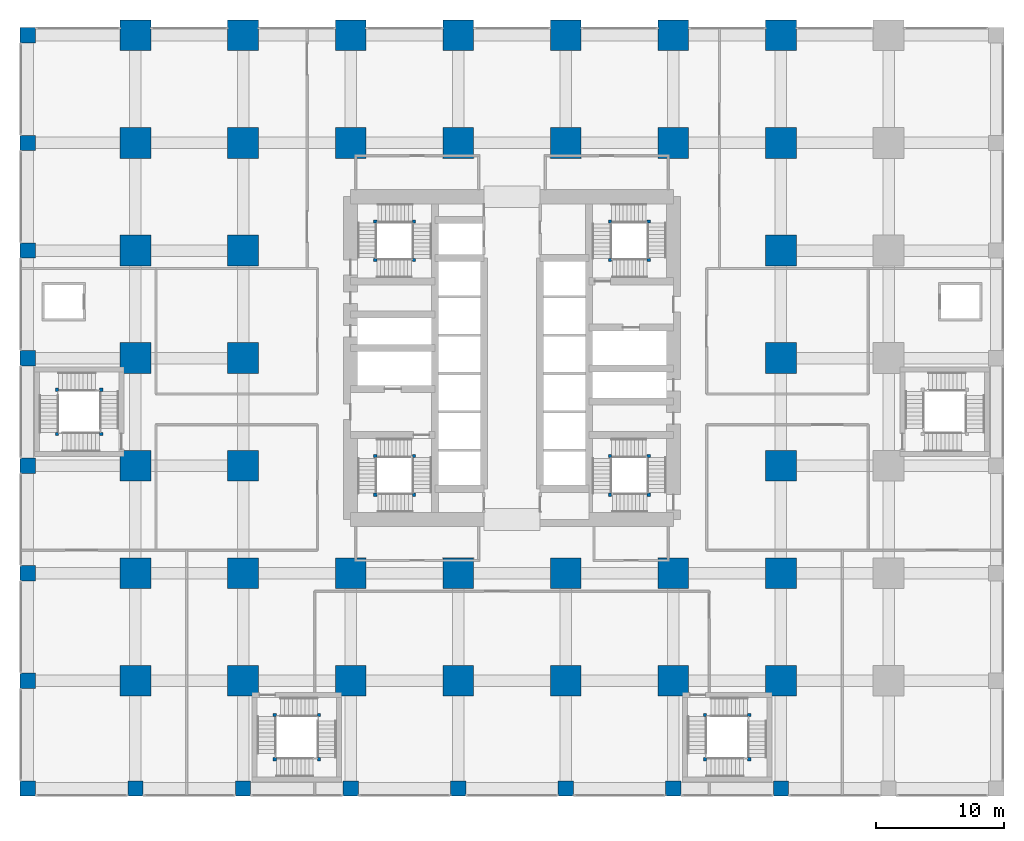
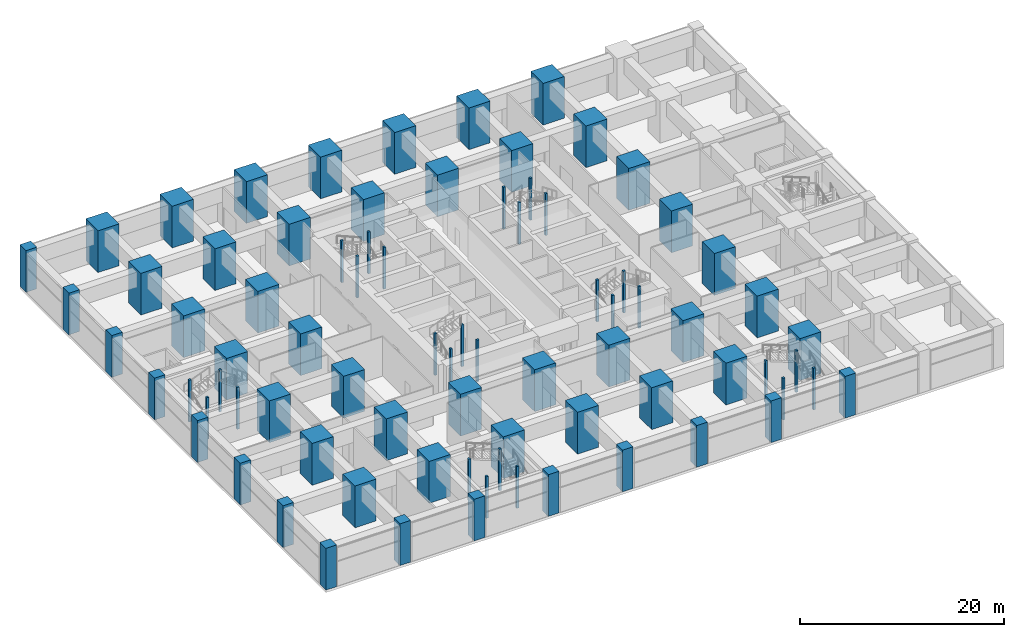
# One storey, part 1 of 49: 80 columns.
"""IFC4 building model written with IfcOpenShell, lengths in metres."""

from ifc_helpers import new_model, si_unit, direction, frame, origin, origin_2d, place, context, subcontext, project, spatial, rectangle, extrude, material, material_profile, profile_set, type_object, element, save


model = new_model("IFC4")

# Units and contexts
model_context = context("Model", 3, precision=1e-05, world=origin(), true_north=direction((0.0, 1.0)))
body_context = subcontext(model_context, "Body", "Model", "MODEL_VIEW")
ifc_project = project(units=[si_unit("LENGTHUNIT", "METRE"), si_unit("AREAUNIT", "SQUARE_METRE"), si_unit("VOLUMEUNIT", "CUBIC_METRE"), si_unit("PLANEANGLEUNIT", "RADIAN"), si_unit("MASSUNIT", "GRAM", prefix="KILO")], contexts=[model_context])

# Site, building, storey
site_placement = place(None, origin())
site = spatial("IfcSite", under=ifc_project, at=site_placement, CompositionType="ELEMENT")
building_placement = place(site_placement, origin())
building = spatial("IfcBuilding", under=site, at=building_placement, Name="Rekha Terrace Tower", CompositionType="ELEMENT")
storey_placement = place(building_placement, frame((0.0, 0.0, 5.39990234375)))
storey = spatial("IfcBuildingStorey", under=building, at=storey_placement, Name="L01", CompositionType="ELEMENT", Elevation=5.39990234375)

# Columns
ifc_material_1 = material(Name="Concrete M70", Category="concrete")
ifc_material_profile_1 = material_profile(ifc_material_1, rectangle(XDim=2.39990234375, YDim=2.39990234375, at=origin_2d()), Name="RC 2400x2400")
ifc_profile_set_1 = profile_set([ifc_material_profile_1], Name="Concrete M70")
column_type_1 = type_object("IfcColumnType", Name="C1 2400x2400 column", PredefinedType="COLUMN", material=ifc_profile_set_1)
for number, where, z_axis, x_axis, name in (
    (1, (8.39990234375, 8.39990234375, 0.0), (0.0, 0.0, 1.0), (1.0, 0.0, 0.0), "Column C1 2/B L01"),
    (2, (8.39990234375, 16.800048828125, 0.0), (0.0, 0.0, 1.0), (1.0, 0.0, 0.0), "Column C1 2/C L01"),
    (3, (8.39990234375, 25.199951171875, 0.0), (0.0, 0.0, 1.0), (1.0, 0.0, 0.0), "Column C1 2/D L01"),
    (4, (8.39990234375, 33.60009765625, 0.0), (0.0, 0.0, 1.0), (1.0, 0.0, 0.0), "Column C1 2/E L01"),
    (5, (8.39990234375, 42.0, 0.0), (0.0, 0.0, 1.0), (1.0, 0.0, 0.0), "Column C1 2/F L01"),
    (6, (8.39990234375, 50.39990234375, 0.0), (0.0, 0.0, 1.0), (1.0, 0.0, 0.0), "Column C1 2/G L01"),
    (7, (8.39990234375, 58.800048828125, 0.0), (0.0, 0.0, 1.0), (1.0, 0.0, 0.0), "Column C1 2/H L01"),
    (8, (16.800048828125, 8.39990234375, 0.0), (0.0, 0.0, 1.0), (1.0, 0.0, 0.0), "Column C1 3/B L01"),
    (9, (16.800048828125, 16.800048828125, 0.0), (0.0, 0.0, 1.0), (1.0, 0.0, 0.0), "Column C1 3/C L01"),
    (10, (16.800048828125, 25.199951171875, 0.0), (0.0, 0.0, 1.0), (1.0, 0.0, 0.0), "Column C1 3/D L01"),
    (11, (16.800048828125, 33.60009765625, 0.0), (0.0, 0.0, 1.0), (1.0, 0.0, 0.0), "Column C1 3/E L01"),
    (12, (16.800048828125, 42.0, 0.0), (0.0, 0.0, 1.0), (1.0, 0.0, 0.0), "Column C1 3/F L01"),
    (13, (16.800048828125, 50.39990234375, 0.0), (0.0, 0.0, 1.0), (1.0, 0.0, 0.0), "Column C1 3/G L01"),
    (14, (16.800048828125, 58.800048828125, 0.0), (0.0, 0.0, 1.0), (1.0, 0.0, 0.0), "Column C1 3/H L01"),
    (15, (25.199951171875, 8.39990234375, 0.0), (0.0, 0.0, 1.0), (1.0, 0.0, 0.0), "Column C1 4/B L01"),
    (16, (25.199951171875, 16.800048828125, 0.0), (0.0, 0.0, 1.0), (1.0, 0.0, 0.0), "Column C1 4/C L01"),
    (17, (25.199951171875, 50.39990234375, 0.0), (0.0, 0.0, 1.0), (1.0, 0.0, 0.0), "Column C1 4/G L01"),
    (18, (25.199951171875, 58.800048828125, 0.0), (0.0, 0.0, 1.0), (1.0, 0.0, 0.0), "Column C1 4/H L01"),
    (19, (33.60009765625, 8.39990234375, 0.0), (0.0, 0.0, 1.0), (1.0, 0.0, 0.0), "Column C1 5/B L01"),
    (20, (33.60009765625, 16.800048828125, 0.0), (0.0, 0.0, 1.0), (1.0, 0.0, 0.0), "Column C1 5/C L01"),
    (21, (33.60009765625, 50.39990234375, 0.0), (0.0, 0.0, 1.0), (1.0, 0.0, 0.0), "Column C1 5/G L01"),
    (22, (33.60009765625, 58.800048828125, 0.0), (0.0, 0.0, 1.0), (1.0, 0.0, 0.0), "Column C1 5/H L01"),
    (23, (42.0, 8.39990234375, 0.0), (0.0, 0.0, 1.0), (1.0, 0.0, 0.0), "Column C1 6/B L01"),
    (24, (42.0, 16.800048828125, 0.0), (0.0, 0.0, 1.0), (1.0, 0.0, 0.0), "Column C1 6/C L01"),
    (25, (42.0, 50.39990234375, 0.0), (0.0, 0.0, 1.0), (1.0, 0.0, 0.0), "Column C1 6/G L01"),
    (26, (42.0, 58.800048828125, 0.0), (0.0, 0.0, 1.0), (1.0, 0.0, 0.0), "Column C1 6/H L01"),
    (27, (50.39990234375, 8.39990234375, 0.0), (0.0, 0.0, 1.0), (1.0, 0.0, 0.0), "Column C1 7/B L01"),
    (28, (50.39990234375, 16.800048828125, 0.0), (0.0, 0.0, 1.0), (1.0, 0.0, 0.0), "Column C1 7/C L01"),
    (29, (50.39990234375, 50.39990234375, 0.0), (0.0, 0.0, 1.0), (1.0, 0.0, 0.0), "Column C1 7/G L01"),
    (30, (50.39990234375, 58.800048828125, 0.0), (0.0, 0.0, 1.0), (1.0, 0.0, 0.0), "Column C1 7/H L01"),
    (31, (58.800048828125, 8.39990234375, 0.0), (0.0, 0.0, 1.0), (1.0, 0.0, 0.0), "Column C1 8/B L01"),
    (32, (58.800048828125, 16.800048828125, 0.0), (0.0, 0.0, 1.0), (1.0, 0.0, 0.0), "Column C1 8/C L01"),
    (33, (58.800048828125, 25.199951171875, 0.0), (0.0, 0.0, 1.0), (1.0, 0.0, 0.0), "Column C1 8/D L01"),
    (34, (58.800048828125, 33.60009765625, 0.0), (0.0, 0.0, 1.0), (1.0, 0.0, 0.0), "Column C1 8/E L01"),
    (35, (58.800048828125, 42.0, 0.0), (0.0, 0.0, 1.0), (1.0, 0.0, 0.0), "Column C1 8/F L01"),
    (36, (58.800048828125, 50.39990234375, 0.0), (0.0, 0.0, 1.0), (1.0, 0.0, 0.0), "Column C1 8/G L01"),
    (37, (58.800048828125, 58.800048828125, 0.0), (0.0, 0.0, 1.0), (1.0, 0.0, 0.0), "Column C1 8/H L01"),
):
    element("IfcColumn", number, at=place(storey_placement, frame(where, z_axis=z_axis, x_axis=x_axis)), inside=storey, type_object=column_type_1, Name=name, PredefinedType="COLUMN", context=body_context, shape_type="SweptSolid", body=[
        extrude(rectangle(XDim=2.39990234375, YDim=2.39990234375, at=origin_2d()), origin(), (0.0, 0.0, 1.0), 5.0),
    ])
ifc_material_2 = material(Name="Concrete M60", Category="concrete")
ifc_material_profile_2 = material_profile(ifc_material_2, rectangle(XDim=1.199951171875, YDim=1.199951171875, at=origin_2d()), Name="RC 1200x1200")
ifc_profile_set_2 = profile_set([ifc_material_profile_2], Name="Concrete M60")
column_type_2 = type_object("IfcColumnType", Name="C6 1200x1200 podium column", PredefinedType="COLUMN", material=ifc_profile_set_2)
for number, where, z_axis, x_axis, name in (
    (38, (0.0, 0.0, 0.0), (0.0, 0.0, 1.0), (1.0, 0.0, 0.0), "Column C6 1/A L01"),
    (39, (0.0, 8.39990234375, 0.0), (0.0, 0.0, 1.0), (1.0, 0.0, 0.0), "Column C6 1/B L01"),
    (40, (0.0, 16.800048828125, 0.0), (0.0, 0.0, 1.0), (1.0, 0.0, 0.0), "Column C6 1/C L01"),
    (41, (0.0, 25.199951171875, 0.0), (0.0, 0.0, 1.0), (1.0, 0.0, 0.0), "Column C6 1/D L01"),
    (42, (0.0, 33.60009765625, 0.0), (0.0, 0.0, 1.0), (1.0, 0.0, 0.0), "Column C6 1/E L01"),
    (43, (0.0, 42.0, 0.0), (0.0, 0.0, 1.0), (1.0, 0.0, 0.0), "Column C6 1/F L01"),
    (44, (0.0, 50.39990234375, 0.0), (0.0, 0.0, 1.0), (1.0, 0.0, 0.0), "Column C6 1/G L01"),
    (45, (0.0, 58.800048828125, 0.0), (0.0, 0.0, 1.0), (1.0, 0.0, 0.0), "Column C6 1/H L01"),
    (46, (8.39990234375, 0.0, 0.0), (0.0, 0.0, 1.0), (1.0, 0.0, 0.0), "Column C6 2/A L01"),
    (47, (16.800048828125, 0.0, 0.0), (0.0, 0.0, 1.0), (1.0, 0.0, 0.0), "Column C6 3/A L01"),
    (48, (25.199951171875, 0.0, 0.0), (0.0, 0.0, 1.0), (1.0, 0.0, 0.0), "Column C6 4/A L01"),
    (49, (33.60009765625, 0.0, 0.0), (0.0, 0.0, 1.0), (1.0, 0.0, 0.0), "Column C6 5/A L01"),
    (50, (42.0, 0.0, 0.0), (0.0, 0.0, 1.0), (1.0, 0.0, 0.0), "Column C6 6/A L01"),
    (51, (50.39990234375, 0.0, 0.0), (0.0, 0.0, 1.0), (1.0, 0.0, 0.0), "Column C6 7/A L01"),
    (52, (58.800048828125, 0.0, 0.0), (0.0, 0.0, 1.0), (1.0, 0.0, 0.0), "Column C6 8/A L01"),
):
    element("IfcColumn", number, at=place(storey_placement, frame(where, z_axis=z_axis, x_axis=x_axis)), inside=storey, type_object=column_type_2, Name=name, PredefinedType="COLUMN", context=body_context, shape_type="SweptSolid", body=[
        extrude(rectangle(XDim=1.199951171875, YDim=1.199951171875, at=origin_2d()), origin(), (0.0, 0.0, 1.0), 5.0),
    ])
ifc_material_profile_3 = material_profile(ifc_material_2, rectangle(XDim=0.25, YDim=0.25, at=origin_2d()), Name="RC 250x250")
ifc_profile_set_3 = profile_set([ifc_material_profile_3], Name="Concrete M60")
column_type_3 = type_object("IfcColumnType", Name="NP1 250x250 stair newel post", PredefinedType="COLUMN", material=ifc_profile_set_3)
for number, where, z_axis, x_axis, name in (
    (53, (5.72509765625, 27.675048828125, 0.0), (0.0, 0.0, 1.0), (1.0, 0.0, 0.0), "Stair newel post NP1"),
    (54, (2.27490234375, 27.675048828125, 0.0), (0.0, 0.0, 1.0), (1.0, 0.0, 0.0), "Stair newel post NP1"),
    (55, (2.27490234375, 31.125, 0.0), (0.0, 0.0, 1.0), (1.0, 0.0, 0.0), "Stair newel post NP1"),
    (56, (5.72509765625, 31.125, 0.0), (0.0, 0.0, 1.0), (1.0, 0.0, 0.0), "Stair newel post NP1"),
    (57, (19.27490234375, 5.72509765625, 0.0), (0.0, 0.0, 1.0), (1.0, 0.0, 0.0), "Stair newel post NP1"),
    (58, (19.27490234375, 2.27490234375, 0.0), (0.0, 0.0, 1.0), (1.0, 0.0, 0.0), "Stair newel post NP1"),
    (59, (22.72509765625, 2.27490234375, 0.0), (0.0, 0.0, 1.0), (1.0, 0.0, 0.0), "Stair newel post NP1"),
    (60, (22.72509765625, 5.72509765625, 0.0), (0.0, 0.0, 1.0), (1.0, 0.0, 0.0), "Stair newel post NP1"),
    (61, (52.875, 5.72509765625, 0.0), (0.0, 0.0, 1.0), (1.0, 0.0, 0.0), "Stair newel post NP1"),
    (62, (52.875, 2.27490234375, 0.0), (0.0, 0.0, 1.0), (1.0, 0.0, 0.0), "Stair newel post NP1"),
    (63, (56.324951171875, 2.27490234375, 0.0), (0.0, 0.0, 1.0), (1.0, 0.0, 0.0), "Stair newel post NP1"),
    (64, (56.324951171875, 5.72509765625, 0.0), (0.0, 0.0, 1.0), (1.0, 0.0, 0.0), "Stair newel post NP1"),
    (65, (30.14990234375, 25.949951171875, 0.0), (0.0, 0.0, 1.0), (1.0, 0.0, 0.0), "Stair newel post NP1"),
    (66, (30.14990234375, 22.925048828125, 0.0), (0.0, 0.0, 1.0), (1.0, 0.0, 0.0), "Stair newel post NP1"),
    (67, (27.125, 22.925048828125, 0.0), (0.0, 0.0, 1.0), (1.0, 0.0, 0.0), "Stair newel post NP1"),
    (68, (27.125, 25.949951171875, 0.0), (0.0, 0.0, 1.0), (1.0, 0.0, 0.0), "Stair newel post NP1"),
    (69, (45.449951171875, 41.25, 0.0), (0.0, 0.0, 1.0), (1.0, 0.0, 0.0), "Stair newel post NP1"),
    (70, (45.449951171875, 44.27490234375, 0.0), (0.0, 0.0, 1.0), (1.0, 0.0, 0.0), "Stair newel post NP1"),
    (71, (48.47509765625, 44.27490234375, 0.0), (0.0, 0.0, 1.0), (1.0, 0.0, 0.0), "Stair newel post NP1"),
    (72, (48.47509765625, 41.25, 0.0), (0.0, 0.0, 1.0), (1.0, 0.0, 0.0), "Stair newel post NP1"),
    (73, (48.47509765625, 22.925048828125, 0.0), (0.0, 0.0, 1.0), (1.0, 0.0, 0.0), "Stair newel post NP1"),
    (74, (45.449951171875, 22.925048828125, 0.0), (0.0, 0.0, 1.0), (1.0, 0.0, 0.0), "Stair newel post NP1"),
    (75, (45.449951171875, 25.949951171875, 0.0), (0.0, 0.0, 1.0), (1.0, 0.0, 0.0), "Stair newel post NP1"),
    (76, (48.47509765625, 25.949951171875, 0.0), (0.0, 0.0, 1.0), (1.0, 0.0, 0.0), "Stair newel post NP1"),
    (77, (27.125, 41.25, 0.0), (0.0, 0.0, 1.0), (1.0, 0.0, 0.0), "Stair newel post NP1"),
    (78, (30.14990234375, 41.25, 0.0), (0.0, 0.0, 1.0), (1.0, 0.0, 0.0), "Stair newel post NP1"),
    (79, (30.14990234375, 44.27490234375, 0.0), (0.0, 0.0, 1.0), (1.0, 0.0, 0.0), "Stair newel post NP1"),
    (80, (27.125, 44.27490234375, 0.0), (0.0, 0.0, 1.0), (1.0, 0.0, 0.0), "Stair newel post NP1"),
):
    element("IfcColumn", number, at=place(storey_placement, frame(where, z_axis=z_axis, x_axis=x_axis)), inside=storey, type_object=column_type_3, Name=name, PredefinedType="COLUMN", context=body_context, shape_type="SweptSolid", body=[
        extrude(rectangle(XDim=0.25, YDim=0.25, at=origin_2d()), origin(), (0.0, 0.0, 1.0), 5.0),
    ])

save(model, "model.ifc")
